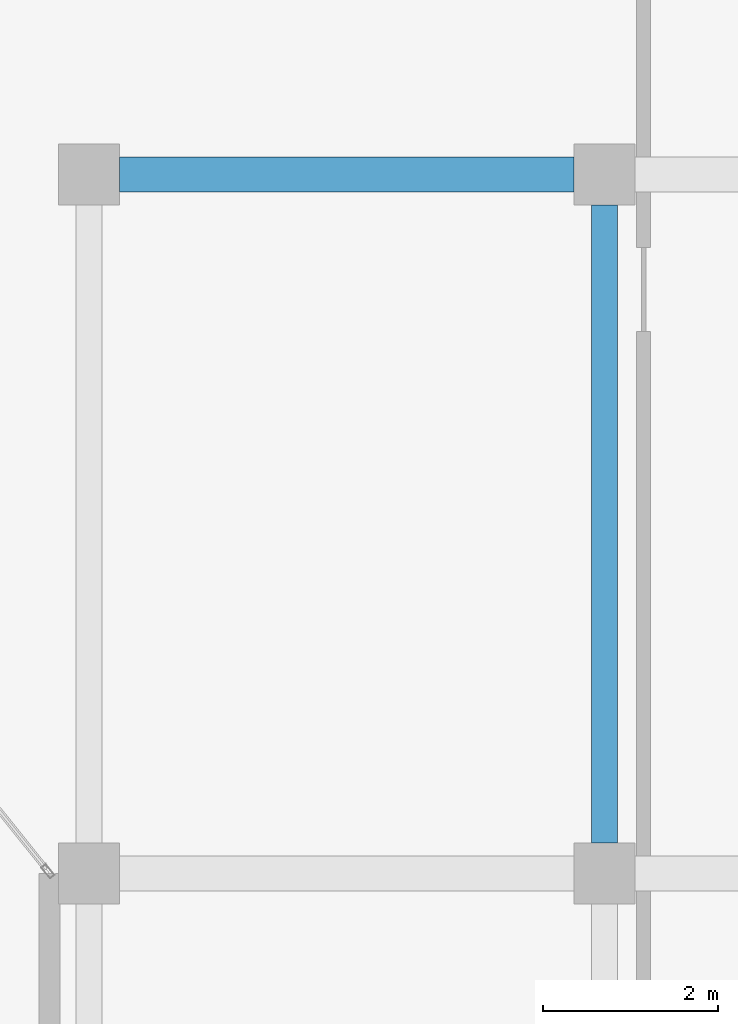
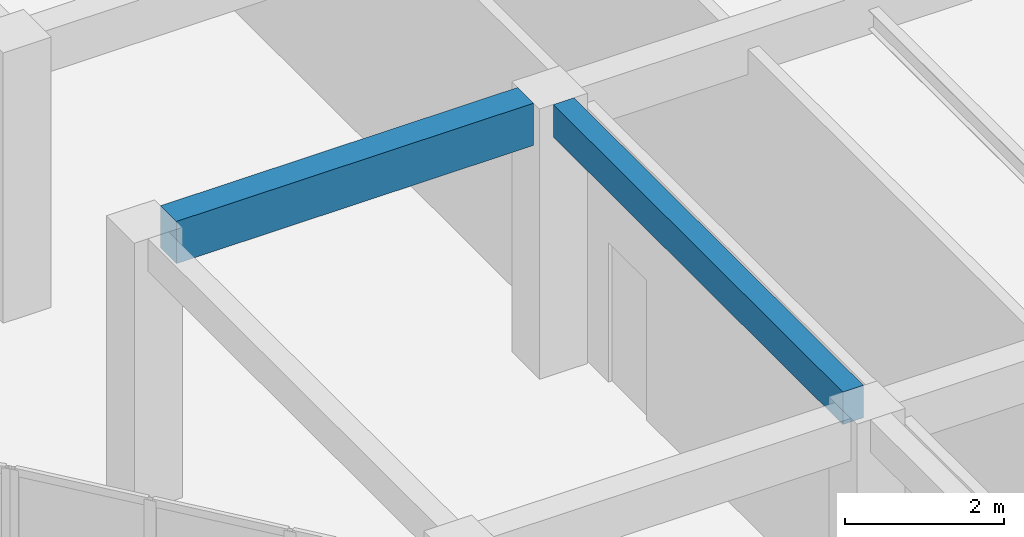
# One storey, part 56 of 114: 2 beams.
"""IFC4 building model written with IfcOpenShell, lengths in metres."""

from ifc_helpers import new_model, si_unit, direction, frame, origin, origin_2d, place, context, subcontext, project, spatial, rectangle, extrude, material, material_profile, profile_set, type_object, element, save


model = new_model("IFC4")

# Units and contexts
model_context = context("Model", 3, precision=1e-05, world=origin(), true_north=direction((0.0, 1.0)))
body_context = subcontext(model_context, "Body", "Model", "MODEL_VIEW")
ifc_project = project(units=[si_unit("LENGTHUNIT", "METRE"), si_unit("AREAUNIT", "SQUARE_METRE"), si_unit("VOLUMEUNIT", "CUBIC_METRE"), si_unit("PLANEANGLEUNIT", "RADIAN"), si_unit("MASSUNIT", "GRAM", prefix="KILO")], contexts=[model_context])

# Site, building, storey
site_placement = place(None, origin())
site = spatial("IfcSite", under=ifc_project, at=site_placement, CompositionType="ELEMENT")
building_placement = place(site_placement, origin())
building = spatial("IfcBuilding", under=site, at=building_placement, Name="Keldmere Railside Commons", CompositionType="ELEMENT")
storey_placement = place(building_placement, origin())
storey = spatial("IfcBuildingStorey", under=building, at=storey_placement, Name="L00", CompositionType="ELEMENT", Elevation=0.0)

# Beams
ifc_material = material(Name="Concrete H-30 (C30/37)", Category="concrete")
ifc_material_profile_1 = material_profile(ifc_material, rectangle(XDim=0.39990234375, YDim=0.64990234375, at=origin_2d()), Name="RC-400x650")
ifc_profile_set_1 = profile_set([ifc_material_profile_1], Name="Concrete H-30 (C30/37)")
beam_type_1 = type_object("IfcBeamType", Name="Residential Spine RC Girder 400x650", PredefinedType="BEAM", material=ifc_profile_set_1)
beam_1_placement = place(storey_placement, frame((168.800048828125, 96.0, 3.8349609375), z_axis=(1.0, 0.0, 0.0), x_axis=(0.0, 1.0, 0.0)))
element("IfcBeam", 1, at=beam_1_placement, inside=storey, type_object=beam_type_1, Name="BG-3 BM-L00-0497", PredefinedType="BEAM", context=body_context, shape_type="SweptSolid", body=[
    extrude(rectangle(XDim=0.39990234375, YDim=0.64990234375, at=origin_2d()), origin(), (0.0, 0.0, 1.0), 5.199951171875),
])
ifc_material_profile_2 = material_profile(ifc_material, rectangle(XDim=0.300048828125, YDim=0.5, at=origin_2d()), Name="RC-300x500")
ifc_profile_set_2 = profile_set([ifc_material_profile_2], Name="Concrete H-30 (C30/37)")
beam_type_2 = type_object("IfcBeamType", Name="Secondary Frame RC Beam 300x500", PredefinedType="BEAM", material=ifc_profile_set_2)
beam_2_placement = place(storey_placement, frame((174.35009765625, 88.35009765625, 3.909912109375), z_axis=(0.0, 1.0, 0.0), x_axis=(-1.0, 0.0, 0.0)))
element("IfcBeam", 2, at=beam_2_placement, inside=storey, type_object=beam_type_2, Name="BG-5 BM-L00-0664", PredefinedType="BEAM", context=body_context, shape_type="SweptSolid", body=[
    extrude(rectangle(XDim=0.300048828125, YDim=0.5, at=origin_2d()), origin(), (0.0, 0.0, 1.0), 7.2998046875),
])

save(model, "model.ifc")
